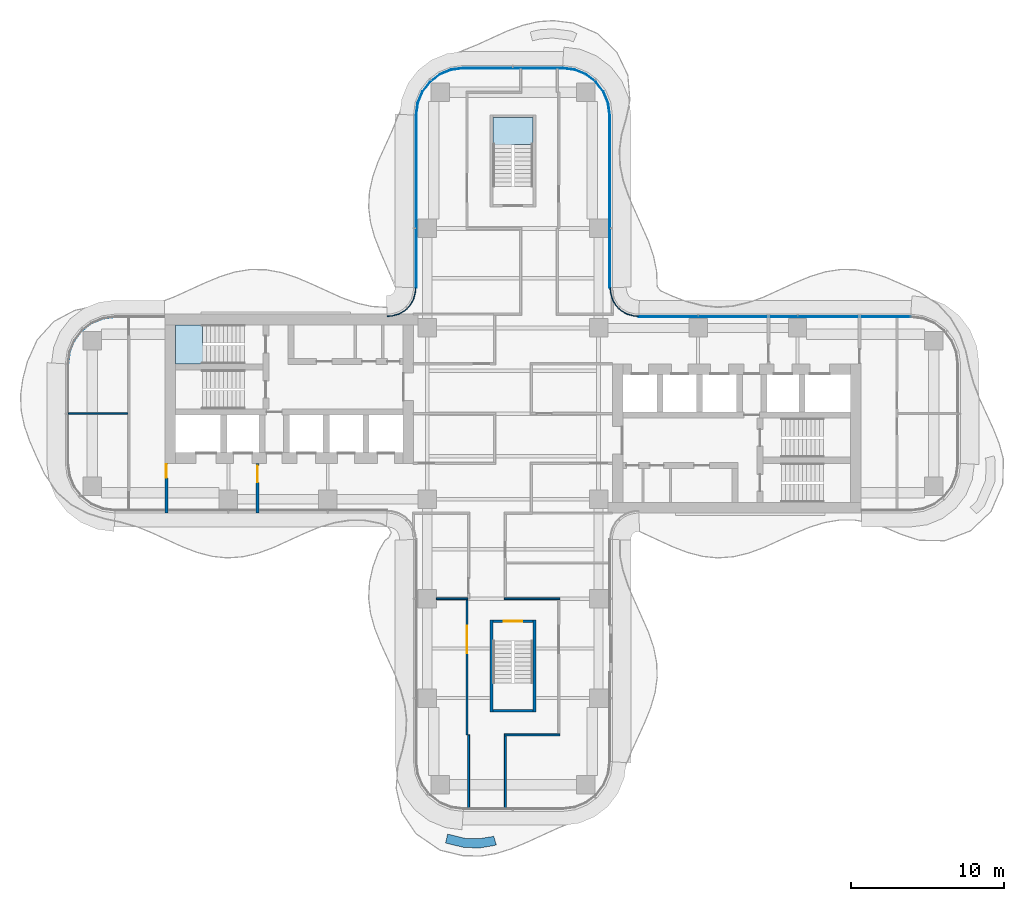
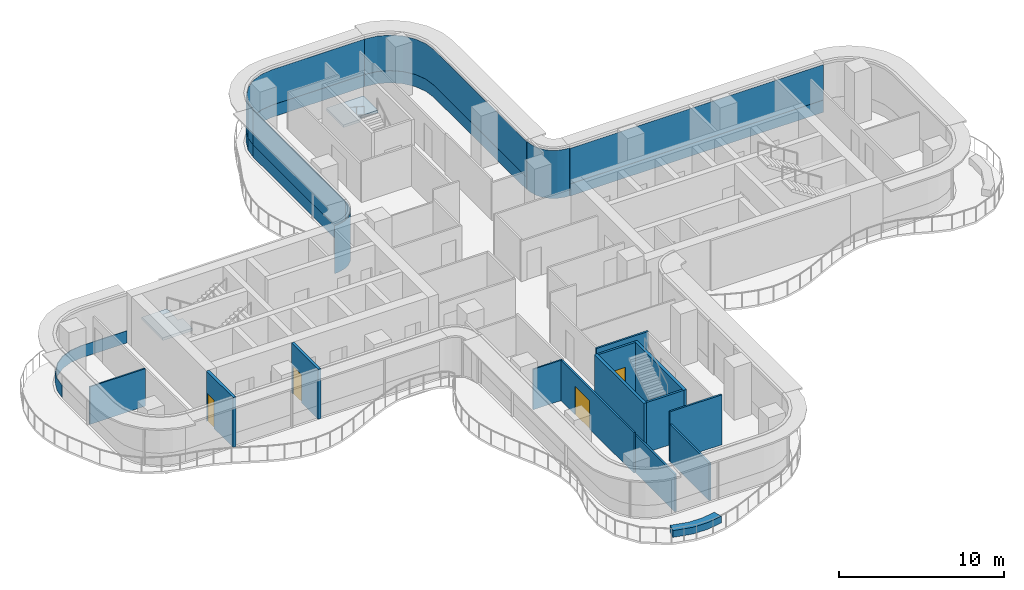
# One storey, part 12 of 18: 14 walls, 11 plates, 4 doors, 2 slabs, 4 openings, 9 elements without a shape of their own.
"""IFC4 building model written with IfcOpenShell, lengths in metres."""

import ifcopenshell
import ifcopenshell.guid

model = None  # the IFC model being written
_history = None  # IfcOwnerHistory: only IFC2X3 demands one
_inside = {}  # id of a spatial element -> (the spatial element, [elements in it])
_under = {}  # id of a project, library or spatial element -> (it, [spatial elements below it])
_declared = {}  # id of a project -> (the project, [libraries it declares])
_typed = {}  # id of a type object -> (the type object, [elements of that type])
_made_of = {}  # id of a material, layer set ... -> (it, [elements and type objects made of it])


def new_model(schema):
    """Start an empty IFC model of exactly this schema.

    Asked for "IFC4X3", IfcOpenShell would pick the latest addendum, in which some entities
    have other attributes; the version numbers below select the first issue.
    IFC2X3 requires an IfcOwnerHistory on every rooted entity: one is made here for all.
    """
    global model, _history
    if schema == "IFC4X3":
        model = ifcopenshell.file(schema_version=(4, 3, 0, 0))
    else:
        model = ifcopenshell.file(schema=schema)
    _inside.clear()
    _under.clear()
    _declared.clear()
    _typed.clear()
    _made_of.clear()
    _history = None
    if model.schema == "IFC2X3":
        org = make("IfcOrganization", Name="unknown")
        user = make(
            "IfcPersonAndOrganization",
            ThePerson=make("IfcPerson", FamilyName="unknown"),
            TheOrganization=org,
        )
        app = make(
            "IfcApplication",
            ApplicationDeveloper=org,
            Version="unknown",
            ApplicationFullName="unknown",
            ApplicationIdentifier="unknown",
        )
        _history = make(
            "IfcOwnerHistory",
            OwningUser=user,
            OwningApplication=app,
            ChangeAction="ADDED",
            CreationDate=0,
        )
    return model


def make(cls, **values):
    """One entity of the class cls with the attributes given. An attribute that is None is left unset."""
    return model.create_entity(
        cls, **{name: value for name, value in values.items() if value is not None}
    )


def rooted(cls, **values):
    """An entity with a GlobalId (a new one), such as an element, a storey or a relation."""
    return make(cls, GlobalId=ifcopenshell.guid.new(), OwnerHistory=_history, **values)


def si_unit(unit_type, name, prefix=None):
    """IfcSIUnit, for example si_unit("LENGTHUNIT", "METRE", prefix="MILLI")."""
    return make("IfcSIUnit", UnitType=unit_type, Prefix=prefix, Name=name)


def assignment(units):
    """IfcUnitAssignment: the units of a project."""
    return None if units is None else make("IfcUnitAssignment", Units=units)


def point(xyz):
    """IfcCartesianPoint."""
    return None if xyz is None else make("IfcCartesianPoint", Coordinates=xyz)


def direction(xyz):
    """IfcDirection."""
    return None if xyz is None else make("IfcDirection", DirectionRatios=xyz)


def frame(location, z_axis=None, x_axis=None):
    """IfcAxis2Placement3D, a coordinate frame: its origin and axes. An axis left out is left unset."""
    return make(
        "IfcAxis2Placement3D",
        Location=point(location),
        Axis=direction(z_axis),
        RefDirection=direction(x_axis),
    )


def frame_2d(location, x_axis=None):
    """IfcAxis2Placement2D, a coordinate frame in the plane: its origin and x axis."""
    return make(
        "IfcAxis2Placement2D", Location=point(location), RefDirection=direction(x_axis)
    )


def origin():
    """The frame at (0, 0, 0) with its axes left unset."""
    return frame((0.0, 0.0, 0.0))


def place(relative_to, where):
    """IfcLocalPlacement: puts the frame where relative to a parent placement (None: the world)."""
    return make(
        "IfcLocalPlacement", PlacementRelTo=relative_to, RelativePlacement=where
    )


def context(
    kind, dimensions, precision=None, world=None, true_north=None, identifier=None
):
    """IfcGeometricRepresentationContext, for example the 3D "Model" context."""
    return make(
        "IfcGeometricRepresentationContext",
        ContextIdentifier=identifier,
        ContextType=kind,
        CoordinateSpaceDimension=dimensions,
        Precision=precision,
        WorldCoordinateSystem=world,
        TrueNorth=true_north,
    )


def subcontext(parent, identifier, kind, view, scale=None):
    """IfcGeometricRepresentationSubContext, for example "Body" below "Model"."""
    return make(
        "IfcGeometricRepresentationSubContext",
        ContextIdentifier=identifier,
        ContextType=kind,
        ParentContext=parent,
        TargetScale=scale,
        TargetView=view,
    )


def project(units=None, contexts=None):
    """IfcProject with its units and contexts."""
    return rooted(
        "IfcProject",
        Name="project",
        RepresentationContexts=contexts,
        UnitsInContext=assignment(units),
    )


def spatial(cls, under=None, at=None, **own):
    """A site, building, storey or space (cls), placed at a placement, below another one or the project."""
    s = rooted(cls, ObjectPlacement=at, **own)
    if under is not None:
        _under.setdefault(under.id(), (under, []))[1].append(s)
    return s


def polyline(points):
    """IfcPolyline through the points."""
    return make("IfcPolyline", Points=[point(p) for p in points])


def profile(cls, at=None, kind="AREA", **sizes):
    """A parametric profile (cls). Its sizes go by their IFC names, for example OverallWidth=200.0."""
    return make(cls, ProfileType=kind, Position=at, **sizes)


def rectangle(**sizes):
    """IfcRectangleProfileDef."""
    return profile("IfcRectangleProfileDef", **sizes)


def outline(outer, holes=None, kind="AREA"):
    """IfcArbitraryClosedProfileDef: a profile drawn as a closed curve; with holes, ...WithVoids."""
    if holes is None:
        return make("IfcArbitraryClosedProfileDef", ProfileType=kind, OuterCurve=outer)
    return make(
        "IfcArbitraryProfileDefWithVoids",
        ProfileType=kind,
        OuterCurve=outer,
        InnerCurves=holes,
    )


def extrude(swept, where, along, depth):
    """IfcExtrudedAreaSolid: the profile swept, set in the frame where, extruded along a direction by depth."""
    return make(
        "IfcExtrudedAreaSolid",
        SweptArea=swept,
        Position=where,
        ExtrudedDirection=direction(along),
        Depth=depth,
    )


def shape(context_of_items, identifier, shape_type, items):
    """IfcShapeRepresentation: the items that make up one representation, for example the "Body"."""
    return make(
        "IfcShapeRepresentation",
        ContextOfItems=context_of_items,
        RepresentationIdentifier=identifier,
        RepresentationType=shape_type,
        Items=items,
    )


def source(mapping_origin, context_of_items, identifier, shape_type, items):
    """IfcRepresentationMap: a shape defined once, which mapped items show again and again."""
    return make(
        "IfcRepresentationMap",
        MappingOrigin=mapping_origin,
        MappedRepresentation=shape(context_of_items, identifier, shape_type, items),
    )


def transform(
    local_origin,
    x_axis=None,
    y_axis=None,
    z_axis=None,
    scale=None,
    scale2=None,
    scale3=None,
    uniform=True,
):
    """IfcCartesianTransformationOperator3D, or its non-uniform kind. x_axis, y_axis, z_axis: its Axis1, 2, 3."""
    if uniform:
        return make(
            "IfcCartesianTransformationOperator3D",
            Axis1=direction(x_axis),
            Axis2=direction(y_axis),
            LocalOrigin=point(local_origin),
            Scale=scale,
            Axis3=direction(z_axis),
        )
    return make(
        "IfcCartesianTransformationOperator3DnonUniform",
        Axis1=direction(x_axis),
        Axis2=direction(y_axis),
        LocalOrigin=point(local_origin),
        Scale=scale,
        Axis3=direction(z_axis),
        Scale2=scale2,
        Scale3=scale3,
    )


def mapped(mapping_source, mapping_target):
    """IfcMappedItem: shows the shape of a source again, moved by a transform."""
    return make(
        "IfcMappedItem", MappingSource=mapping_source, MappingTarget=mapping_target
    )


def material(Name=None, Category=None):
    """IfcMaterial."""
    return make("IfcMaterial", Name=Name, Category=Category)


def layer(
    of_material, thickness, ventilated=None, Name=None, Category=None, Priority=None
):
    """IfcMaterialLayer: one layer of a wall or slab, of a material (None: an air gap)."""
    return make(
        "IfcMaterialLayer",
        Material=of_material,
        LayerThickness=thickness,
        IsVentilated=ventilated,
        Name=Name,
        Category=Category,
        Priority=Priority,
    )


def layer_set(layers, Name=None):
    """IfcMaterialLayerSet."""
    return make("IfcMaterialLayerSet", MaterialLayers=layers, LayerSetName=Name)


def made_of(thing, what):
    """Note that an element or type object is made of a material, layer set ...; save() writes the relation."""
    if what is not None:
        _made_of.setdefault(what.id(), (what, []))[1].append(thing)
    return thing


def type_object(cls, material=None, **own):
    """A type object (cls), such as IfcWallType, which elements share."""
    return made_of(rooted(cls, **own), material)


def element(
    cls,
    number,
    at=None,
    inside=None,
    cuts=None,
    type_object=None,
    material=None,
    context=None,
    identifier="Body",
    shape_type=None,
    held_by="IfcProductDefinitionShape",
    body=None,
    shapes=None,
    **own,
):
    """One element of the class cls, such as IfcWall. Its Tag is "e" and its number.

    at: its placement. inside: the storey or other place that contains it. cuts: it is an
    opening in that element (IfcRelVoidsElement). A single representation is given by context,
    identifier, shape_type and body (its items); several are given by shapes. held_by: the class
    of the entity that holds the representations. save() writes the other relations.
    """
    e = rooted(cls, Tag="e%d" % number, ObjectPlacement=at, **own)
    if body is not None:
        shapes = [shape(context, identifier, shape_type, body)]
    if shapes is not None:
        e.Representation = make(held_by, Representations=shapes)
    if inside is not None:
        _inside.setdefault(inside.id(), (inside, []))[1].append(e)
    if cuts is not None:
        rooted(
            "IfcRelVoidsElement", RelatingBuildingElement=cuts, RelatedOpeningElement=e
        )
    if type_object is not None:
        _typed.setdefault(type_object.id(), (type_object, []))[1].append(e)
    return made_of(e, material)


def fill(opening, filler):
    """IfcRelFillsElement: the door or window that sits in an opening."""
    return rooted(
        "IfcRelFillsElement",
        RelatingOpeningElement=opening,
        RelatedBuildingElement=filler,
    )


def aggregate(whole, parts):
    """IfcRelAggregates: a whole, such as a stair, and the parts it consists of."""
    return rooted("IfcRelAggregates", RelatingObject=whole, RelatedObjects=parts)


def save(model, path):
    """Write the relations noted so far, then the file.

    IfcRelAggregates (storeys below a building ...), IfcRelContainedInSpatialStructure (elements
    in a storey), IfcRelDefinesByType, IfcRelAssociatesMaterial and IfcRelDeclares: one each for
    every whole, place, type object, material and project.
    """
    for whole, parts in _under.values():
        aggregate(whole, parts)
    for where, things in _inside.values():
        rooted(
            "IfcRelContainedInSpatialStructure",
            RelatedElements=things,
            RelatingStructure=where,
        )
    for kind, things in _typed.values():
        rooted("IfcRelDefinesByType", RelatedObjects=things, RelatingType=kind)
    for what, things in _made_of.values():
        rooted("IfcRelAssociatesMaterial", RelatedObjects=things, RelatingMaterial=what)
    for by, libraries in _declared.values():
        rooted("IfcRelDeclares", RelatingContext=by, RelatedDefinitions=libraries)
    model.write(path)


model = new_model("IFC4")

# Units and contexts
model_context = context("Model", 3, precision=1e-05, world=origin(), true_north=direction((0.0, 1.0)))
body_context = subcontext(model_context, "Body", "Model", "MODEL_VIEW")
ifc_project = project(units=[si_unit("LENGTHUNIT", "METRE"), si_unit("AREAUNIT", "SQUARE_METRE"), si_unit("VOLUMEUNIT", "CUBIC_METRE"), si_unit("PLANEANGLEUNIT", "RADIAN"), si_unit("MASSUNIT", "GRAM", prefix="KILO")], contexts=[model_context])

# Site, building, storey
site_placement = place(None, origin())
site = spatial("IfcSite", under=ifc_project, at=site_placement, CompositionType="ELEMENT")
building_placement = place(site_placement, origin())
building = spatial("IfcBuilding", under=site, at=building_placement, Name="Trellis Farm Tower", CompositionType="ELEMENT")
storey_placement = place(building_placement, frame((0.0, 0.0, 193.199951171875)))
storey = spatial("IfcBuildingStorey", under=building, at=storey_placement, Name="L42", CompositionType="ELEMENT", Elevation=193.199951171875)

# Stair, slab
ifc_material_1 = material(Name="Concrete C50/60", Category="concrete")
stair_type = type_object("IfcStairType", Name="CORE EXIT STAIR 22 RISERS 177 MM", PredefinedType="HALF_TURN_STAIR", material=ifc_material_1)
placement_1 = place(storey_placement, origin())
stair_1 = element("IfcStair", 1, at=placement_1, inside=storey, type_object=stair_type, Name="Exit stair N", PredefinedType="HALF_TURN_STAIR")
ifc_layer_1 = layer(ifc_material_1, 0.18994140625)
ifc_layer_set_1 = layer_set([ifc_layer_1], Name="CORE STAIR LANDING 190 CONCRETE C50/60")
slab_type = type_object("IfcSlabType", Name="CORE STAIR LANDING 190 CONCRETE C50/60", PredefinedType="LANDING", material=ifc_layer_set_1)
shared_shape_1 = source(origin(), body_context, "Body", "SweptSolid", [
    extrude(outline(polyline([(-0.10009765625, 17.27197265625), (-1.300048828125, 17.27197265625), (-1.300048828125, 17.60009765625), (-1.300048828125, 19.35009765625), (1.300048828125, 19.35009765625), (1.300048828125, 17.60009765625), (1.300048828125, 17.590087890625), (0.10009765625, 17.590087890625), (0.10009765625, 17.60009765625), (-0.10009765625, 17.60009765625), (-0.10009765625, 17.27197265625)])), origin(), (0.0, 0.0, 1.0), 0.18994140625),
])
placement_2 = place(storey_placement, frame((0.0, 0.0, 1.760009765625)))
slab_1 = element("IfcSlab", 2, at=placement_2, type_object=slab_type, Name="STN landing 1", PredefinedType="LANDING", context=body_context, shape_type="MappedRepresentation", body=[
    mapped(shared_shape_1, transform((0.0, 0.0, 0.0))),
])
aggregate(stair_1, [slab_1])

stair_2 = element("IfcStair", 3, at=placement_1, inside=storey, type_object=stair_type, Name="Exit stair W1", PredefinedType="HALF_TURN_STAIR")
shared_shape_2 = source(origin(), body_context, "Body", "SweptSolid", [
    extrude(outline(polyline([(-19.971923828125, 4.449951171875), (-19.971923828125, 3.25), (-20.300048828125, 3.25), (-22.050048828125, 3.25), (-22.050048828125, 5.800048828125), (-20.300048828125, 5.800048828125), (-20.2900390625, 5.800048828125), (-20.2900390625, 4.60009765625), (-20.300048828125, 4.60009765625), (-20.300048828125, 4.449951171875), (-19.971923828125, 4.449951171875)])), origin(), (0.0, 0.0, 1.0), 0.18994140625),
])
slab_2 = element("IfcSlab", 4, at=placement_2, type_object=slab_type, Name="STW1 landing 1", PredefinedType="LANDING", context=body_context, shape_type="MappedRepresentation", body=[
    mapped(shared_shape_2, transform((0.0, 0.0, 0.0))),
])
aggregate(stair_2, [slab_2])

# Curtain wall, plate
ifc_material_2 = material(Name="Aluminium and glass curtain wall", Category="aluminium")
ifc_layer_2 = layer(ifc_material_2, 0.166015625)
ifc_layer_set_2 = layer_set([ifc_layer_2], Name="WINTER GARDEN CURTAIN WALL CW3")
curtain_wall_type_1 = type_object("IfcCurtainWallType", Name="WINTER GARDEN CURTAIN WALL CW3", PredefinedType="NOTDEFINED", material=ifc_layer_set_2)
curtain_wall_1 = element("IfcCurtainWall", 5, at=placement_1, inside=storey, type_object=curtain_wall_type_1, Name="CW3 003", PredefinedType="NOTDEFINED")
ifc_material_3 = material(Name="Clear insulated glass", Category="glass")
ifc_layer_3 = layer(ifc_material_3, 0.0458984375)
ifc_layer_set_3 = layer_set([ifc_layer_3], Name="CW3 GLASS PANEL 46")
plate_type_1 = type_object("IfcPlateType", Name="CW3 GLASS PANEL 46", PredefinedType="CURTAIN_PANEL", material=ifc_layer_set_3)
shared_shape_3 = source(origin(), body_context, "Body", "SweptSolid", [
    extrude(outline(polyline([(8.2275390625, 6.3798828125), (8.0078125, 6.394287109375), (7.89208984375, 6.40966796875), (7.462158203125, 6.52490234375), (7.070556640625, 6.7509765625), (6.7509765625, 7.070556640625), (6.52490234375, 7.462158203125), (6.40966796875, 7.89208984375), (6.394287109375, 8.0078125), (6.3798828125, 8.2275390625), (6.333984375, 8.22607421875), (6.3486328125, 8.003173828125), (6.364501953125, 7.883056640625), (6.48193359375, 7.4443359375), (6.714111328125, 7.04248046875), (7.04248046875, 6.714111328125), (7.4443359375, 6.48193359375), (7.883056640625, 6.364501953125), (8.003173828125, 6.3486328125), (8.22607421875, 6.333984375), (8.2275390625, 6.3798828125)])), origin(), (0.0, 0.0, 1.0), 3.550048828125),
])
plate_1 = element("IfcPlate", 6, at=placement_1, type_object=plate_type_1, Name="PL3 003", PredefinedType="CURTAIN_PANEL", context=body_context, shape_type="MappedRepresentation", body=[
    mapped(shared_shape_3, transform((0.0, 0.0, 0.0))),
])
aggregate(curtain_wall_1, [plate_1])

curtain_wall_2 = element("IfcCurtainWall", 7, at=placement_1, inside=storey, type_object=curtain_wall_type_1, Name="CW3 004", PredefinedType="NOTDEFINED")
shared_shape_4 = source(origin(), body_context, "Body", "SweptSolid", [
    extrude(outline(polyline([(-6.3798828125, 8.2275390625), (-6.394287109375, 8.0078125), (-6.40966796875, 7.89208984375), (-6.52490234375, 7.462158203125), (-6.7509765625, 7.070556640625), (-7.070556640625, 6.7509765625), (-7.462158203125, 6.52490234375), (-7.89208984375, 6.40966796875), (-8.0078125, 6.394287109375), (-8.2275390625, 6.3798828125), (-8.22607421875, 6.333984375), (-8.003173828125, 6.3486328125), (-7.883056640625, 6.364501953125), (-7.4443359375, 6.48193359375), (-7.04248046875, 6.714111328125), (-6.714111328125, 7.04248046875), (-6.48193359375, 7.4443359375), (-6.364501953125, 7.883056640625), (-6.3486328125, 8.003173828125), (-6.333984375, 8.22607421875), (-6.3798828125, 8.2275390625)])), origin(), (0.0, 0.0, 1.0), 3.550048828125),
])
plate_2 = element("IfcPlate", 8, at=placement_1, type_object=plate_type_1, Name="PL3 004", PredefinedType="CURTAIN_PANEL", context=body_context, shape_type="MappedRepresentation", body=[
    mapped(shared_shape_4, transform((0.0, 0.0, 0.0))),
])
aggregate(curtain_wall_2, [plate_2])

# Curtain wall, plates
ifc_layer_4 = layer(ifc_material_2, 0.18994140625)
ifc_layer_set_4 = layer_set([ifc_layer_4], Name="RIBBON CURTAIN WALL CW1")
curtain_wall_type_2 = type_object("IfcCurtainWallType", Name="RIBBON CURTAIN WALL CW1", PredefinedType="NOTDEFINED", material=ifc_layer_set_4)
curtain_wall_3 = element("IfcCurtainWall", 9, at=placement_1, inside=storey, type_object=curtain_wall_type_2, Name="CW1 008", PredefinedType="NOTDEFINED")
ifc_layer_5 = layer(ifc_material_3, 0.0400390625)
ifc_layer_set_5 = layer_set([ifc_layer_5], Name="CW1 GLASS PANEL 40")
plate_type_2 = type_object("IfcPlateType", Name="CW1 GLASS PANEL 40", PredefinedType="CURTAIN_PANEL", material=ifc_layer_set_5)
shared_shape_5 = source(origin(), body_context, "Body", "SweptSolid", [
    extrude(outline(polyline([(25.990234375, 6.35009765625), (8.2265625, 6.35009765625), (8.22509765625, 6.31005859375), (25.987548828125, 6.31005859375), (25.990234375, 6.35009765625)])), origin(), (0.0, 0.0, 1.0), 2.619873046875),
])
placement_3 = place(storey_placement, frame((0.0, 0.0, 0.900146484375)))
plate_3 = element("IfcPlate", 10, at=placement_3, type_object=plate_type_2, Name="PL1 008", PredefinedType="CURTAIN_PANEL", context=body_context, shape_type="MappedRepresentation", body=[
    mapped(shared_shape_5, transform((0.0, 0.0, 0.0))),
])
ifc_material_4 = material(Name="Sandstone faced insulated panel", Category="masonry")
ifc_layer_6 = layer(ifc_material_4, 0.050048828125)
ifc_layer_set_6 = layer_set([ifc_layer_6], Name="CW1 STONE SPANDREL PANEL 50")
plate_type_3 = type_object("IfcPlateType", Name="CW1 STONE SPANDREL PANEL 50", PredefinedType="CURTAIN_PANEL", material=ifc_layer_set_6)
shared_shape_6 = source(origin(), body_context, "Body", "SweptSolid", [
    extrude(outline(polyline([(25.990234375, 6.35009765625), (8.2265625, 6.35009765625), (8.224853515625, 6.300048828125), (25.98681640625, 6.300048828125), (25.990234375, 6.35009765625)])), origin(), (0.0, 0.0, 1.0), 0.900146484375),
])
plate_4 = element("IfcPlate", 11, at=placement_1, type_object=plate_type_3, Name="PS1 008", PredefinedType="CURTAIN_PANEL", context=body_context, shape_type="MappedRepresentation", body=[
    mapped(shared_shape_6, transform((0.0, 0.0, 0.0))),
])
aggregate(curtain_wall_3, [plate_3, plate_4])

# Curtain wall, plate
curtain_wall_4 = element("IfcCurtainWall", 12, at=placement_1, inside=storey, type_object=curtain_wall_type_2, Name="CW1 012", PredefinedType="NOTDEFINED")
shared_shape_7 = source(origin(), body_context, "Body", "SweptSolid", [
    extrude(outline(polyline([(-22.780029296875, 6.35009765625), (-25.990234375, 6.35009765625), (-26.802001953125, 6.2431640625), (-27.54931640625, 5.93359375), (-28.191162109375, 5.441162109375), (-28.68359375, 4.79931640625), (-28.9931640625, 4.052001953125), (-29.10009765625, 3.240234375), (-29.050048828125, 3.23681640625), (-28.9443359375, 4.0390625), (-28.639892578125, 4.774169921875), (-28.155517578125, 5.405517578125), (-27.524169921875, 5.889892578125), (-26.7890625, 6.1943359375), (-25.98681640625, 6.300048828125), (-22.780029296875, 6.300048828125), (-22.780029296875, 6.35009765625)])), origin(), (0.0, 0.0, 1.0), 0.900146484375),
])
plate_5 = element("IfcPlate", 13, at=placement_1, type_object=plate_type_3, Name="PS1 012", PredefinedType="CURTAIN_PANEL", context=body_context, shape_type="MappedRepresentation", body=[
    mapped(shared_shape_7, transform((0.0, 0.0, 0.0))),
])
aggregate(curtain_wall_4, [plate_5])

# Curtain wall, plates
curtain_wall_5 = element("IfcCurtainWall", 14, at=placement_1, inside=storey, type_object=curtain_wall_type_2, Name="CW1 009", PredefinedType="NOTDEFINED")
shared_shape_8 = source(origin(), body_context, "Body", "SweptSolid", [
    extrude(outline(polyline([(6.35009765625, 8.2265625), (6.35009765625, 19.490234375), (6.2431640625, 20.302001953125), (5.93359375, 21.04931640625), (5.441162109375, 21.691162109375), (4.79931640625, 22.18359375), (4.052001953125, 22.4931640625), (3.240234375, 22.60009765625), (3.237548828125, 22.56005859375), (4.04150390625, 22.4541015625), (4.779296875, 22.148681640625), (5.41259765625, 21.66259765625), (5.898681640625, 21.029296875), (6.2041015625, 20.29150390625), (6.31005859375, 19.487548828125), (6.31005859375, 8.22509765625), (6.35009765625, 8.2265625)])), origin(), (0.0, 0.0, 1.0), 2.619873046875),
])
plate_6 = element("IfcPlate", 15, at=placement_3, type_object=plate_type_2, Name="PL1 009", PredefinedType="CURTAIN_PANEL", context=body_context, shape_type="MappedRepresentation", body=[
    mapped(shared_shape_8, transform((0.0, 0.0, 0.0))),
])
shared_shape_9 = source(origin(), body_context, "Body", "SweptSolid", [
    extrude(outline(polyline([(6.35009765625, 8.2265625), (6.35009765625, 19.490234375), (6.2431640625, 20.302001953125), (5.93359375, 21.04931640625), (5.441162109375, 21.691162109375), (4.79931640625, 22.18359375), (4.052001953125, 22.4931640625), (3.240234375, 22.60009765625), (3.23681640625, 22.550048828125), (4.0390625, 22.4443359375), (4.774169921875, 22.139892578125), (5.405517578125, 21.655517578125), (5.889892578125, 21.024169921875), (6.1943359375, 20.2890625), (6.300048828125, 19.48681640625), (6.300048828125, 8.224853515625), (6.35009765625, 8.2265625)])), origin(), (0.0, 0.0, 1.0), 0.900146484375),
])
plate_7 = element("IfcPlate", 16, at=placement_1, type_object=plate_type_3, Name="PS1 009", PredefinedType="CURTAIN_PANEL", context=body_context, shape_type="MappedRepresentation", body=[
    mapped(shared_shape_9, transform((0.0, 0.0, 0.0))),
])
aggregate(curtain_wall_5, [plate_6, plate_7])

curtain_wall_6 = element("IfcCurtainWall", 17, at=placement_1, inside=storey, type_object=curtain_wall_type_2, Name="CW1 011", PredefinedType="NOTDEFINED")
shared_shape_10 = source(origin(), body_context, "Body", "SweptSolid", [
    extrude(outline(polyline([(-6.35009765625, 19.490234375), (-6.35009765625, 8.2265625), (-6.31005859375, 8.22509765625), (-6.31005859375, 19.487548828125), (-6.35009765625, 19.490234375)])), origin(), (0.0, 0.0, 1.0), 2.619873046875),
])
plate_8 = element("IfcPlate", 18, at=placement_3, type_object=plate_type_2, Name="PL1 011", PredefinedType="CURTAIN_PANEL", context=body_context, shape_type="MappedRepresentation", body=[
    mapped(shared_shape_10, transform((0.0, 0.0, 0.0))),
])
shared_shape_11 = source(origin(), body_context, "Body", "SweptSolid", [
    extrude(outline(polyline([(-6.35009765625, 19.490234375), (-6.35009765625, 8.2265625), (-6.300048828125, 8.224853515625), (-6.300048828125, 19.48681640625), (-6.35009765625, 19.490234375)])), origin(), (0.0, 0.0, 1.0), 0.900146484375),
])
plate_9 = element("IfcPlate", 19, at=placement_1, type_object=plate_type_3, Name="PS1 011", PredefinedType="CURTAIN_PANEL", context=body_context, shape_type="MappedRepresentation", body=[
    mapped(shared_shape_11, transform((0.0, 0.0, 0.0))),
])
aggregate(curtain_wall_6, [plate_8, plate_9])

curtain_wall_7 = element("IfcCurtainWall", 20, at=placement_1, inside=storey, type_object=curtain_wall_type_2, Name="CW1 010", PredefinedType="NOTDEFINED")
shared_shape_12 = source(origin(), body_context, "Body", "SweptSolid", [
    extrude(outline(polyline([(3.240234375, 22.60009765625), (-3.240234375, 22.60009765625), (-4.052001953125, 22.4931640625), (-4.79931640625, 22.18359375), (-5.441162109375, 21.691162109375), (-5.93359375, 21.04931640625), (-6.2431640625, 20.302001953125), (-6.35009765625, 19.490234375), (-6.31005859375, 19.487548828125), (-6.2041015625, 20.29150390625), (-5.898681640625, 21.029296875), (-5.41259765625, 21.66259765625), (-4.779296875, 22.148681640625), (-4.04150390625, 22.4541015625), (-3.237548828125, 22.56005859375), (3.237548828125, 22.56005859375), (3.240234375, 22.60009765625)])), origin(), (0.0, 0.0, 1.0), 2.619873046875),
])
plate_10 = element("IfcPlate", 21, at=placement_3, type_object=plate_type_2, Name="PL1 010", PredefinedType="CURTAIN_PANEL", context=body_context, shape_type="MappedRepresentation", body=[
    mapped(shared_shape_12, transform((0.0, 0.0, 0.0))),
])
shared_shape_13 = source(origin(), body_context, "Body", "SweptSolid", [
    extrude(outline(polyline([(3.240234375, 22.60009765625), (-3.240234375, 22.60009765625), (-4.052001953125, 22.4931640625), (-4.79931640625, 22.18359375), (-5.441162109375, 21.691162109375), (-5.93359375, 21.04931640625), (-6.2431640625, 20.302001953125), (-6.35009765625, 19.490234375), (-6.300048828125, 19.48681640625), (-6.1943359375, 20.2890625), (-5.889892578125, 21.024169921875), (-5.405517578125, 21.655517578125), (-4.774169921875, 22.139892578125), (-4.0390625, 22.4443359375), (-3.23681640625, 22.550048828125), (3.23681640625, 22.550048828125), (3.240234375, 22.60009765625)])), origin(), (0.0, 0.0, 1.0), 0.900146484375),
])
plate_11 = element("IfcPlate", 22, at=placement_1, type_object=plate_type_3, Name="PS1 010", PredefinedType="CURTAIN_PANEL", context=body_context, shape_type="MappedRepresentation", body=[
    mapped(shared_shape_13, transform((0.0, 0.0, 0.0))),
])
aggregate(curtain_wall_7, [plate_10, plate_11])

# Wall
ifc_material_5 = material(Name="Sandstone faced masonry planter", Category="masonry")
ifc_layer_7 = layer(ifc_material_5, 0.60009765625)
ifc_layer_set_7 = layer_set([ifc_layer_7], Name="PLANTER BED 600")
wall_type_1 = type_object("IfcWallType", Name="PLANTER BED 600", PredefinedType="USERDEFINED", material=ifc_layer_set_7)
element("IfcWall", 23, at=placement_1, inside=storey, type_object=wall_type_1, Name="PLANTER bed", ObjectType="PLANTER", PredefinedType="USERDEFINED", context=body_context, shape_type="SweptSolid", body=[
    extrude(outline(polyline([(-2.138671875, -28.380126953125), (-3.160400390625, -28.36669921875), (-4.4091796875, -28.064697265625), (-4.26806640625, -27.4814453125), (-3.085205078125, -27.767578125), (-2.18310546875, -27.779541015625), (-1.368896484375, -27.64697265625), (-1.26171875, -27.613525390625), (-1.083251953125, -28.186279296875), (-1.230712890625, -28.232421875), (-2.138671875, -28.380126953125)])), origin(), (0.0, 0.0, 1.0), 0.5),
])

# Wall, opening, door
ifc_material_6 = material(Name="Masonry blockwork", Category="masonry")
ifc_layer_8 = layer(ifc_material_6, 0.199951171875)
ifc_layer_set_8 = layer_set([ifc_layer_8], Name="FIRE LOBBY PARTITION 200 BLOCKWORK")
wall_type_2 = type_object("IfcWallType", Name="FIRE LOBBY PARTITION 200 BLOCKWORK", PredefinedType="PARTITIONING", material=ifc_layer_set_8)
shared_shape_14 = source(origin(), body_context, "Body", "SweptSolid", [
    extrude(rectangle(XDim=3.25, YDim=0.199951171875, at=frame_2d((1.625, 0.0))), origin(), (0.0, 0.0, 1.0), 3.699951171875),
])
wall_2_placement = place(storey_placement, frame((-16.699951171875, -3.25, 0.0), z_axis=(0.0, 0.0, 1.0), x_axis=(0.0, -1.0, 0.0)))
wall_2 = element("IfcWall", 24, at=wall_2_placement, inside=storey, type_object=wall_type_2, Name="Fire-fighting lobby partition", PredefinedType="PARTITIONING", context=body_context, shape_type="MappedRepresentation", body=[
    mapped(shared_shape_14, transform((0.0, 0.0, 0.0))),
])
shared_shape_15 = source(origin(), body_context, "Body", "SweptSolid", [
    extrude(rectangle(XDim=1.10009765625, YDim=2.10009765625, at=frame_2d((0.550048828125, 1.050048828125))), frame((0.0, 0.110107421875, 0.0), z_axis=(0.0, -1.0, 0.0), x_axis=(1.0, 0.0, 0.0)), (0.0, 0.0, 1.0), 0.22021484375),
])
opening_1_placement = place(wall_2_placement, frame((0.14990234375, 0.0, 0.0)))
opening_1 = element("IfcOpeningElement", 25, at=opening_1_placement, cuts=wall_2, Name="Opening DC93", PredefinedType="OPENING", context=body_context, shape_type="MappedRepresentation", body=[
    mapped(shared_shape_15, transform((0.0, 0.0, 0.0))),
])
ifc_material_7 = material(Name="Steel", Category="steel")
door_type_1 = type_object("IfcDoorType", Name="CORE FIRE DOOR 1100 X 2100", OperationType="NOTDEFINED", PredefinedType="DOOR", material=ifc_material_7)
shared_shape_16 = source(origin(), body_context, "Body", "SweptSolid", [
    extrude(rectangle(XDim=1.10009765625, YDim=2.10009765625, at=frame_2d((0.550048828125, 1.050048828125))), frame((0.0, 0.02490234375, 0.0), z_axis=(0.0, -1.0, 0.0), x_axis=(1.0, 0.0, 0.0)), (0.0, 0.0, 1.0), 0.050048828125),
])
door_1_placement = place(opening_1_placement, origin())
door_1 = element("IfcDoor", 26, at=door_1_placement, inside=storey, type_object=door_type_1, Name="Core door", OperationType="SINGLE_SWING_RIGHT", OverallHeight=2.10009765625, OverallWidth=1.10009765625, PredefinedType="DOOR", context=body_context, shape_type="MappedRepresentation", body=[
    mapped(shared_shape_16, transform((0.0, 0.0, 0.0))),
])
fill(opening_1, door_1)

wall_3_placement = place(storey_placement, frame((-22.64990234375, -3.25, 0.0), z_axis=(0.0, 0.0, 1.0), x_axis=(0.0, -1.0, 0.0)))
wall_3 = element("IfcWall", 27, at=wall_3_placement, inside=storey, type_object=wall_type_2, Name="Fire-fighting lobby partition", PredefinedType="PARTITIONING", context=body_context, shape_type="MappedRepresentation", body=[
    mapped(shared_shape_14, transform((0.0, 0.0, 0.0))),
])
shared_shape_17 = source(origin(), body_context, "Body", "SweptSolid", [
    extrude(rectangle(XDim=0.89990234375, YDim=2.10009765625, at=frame_2d((0.449951171875, 1.050048828125))), frame((0.0, 0.110107421875, 0.0), z_axis=(0.0, -1.0, 0.0), x_axis=(1.0, 0.0, 0.0)), (0.0, 0.0, 1.0), 0.22021484375),
])
opening_2_placement = place(wall_3_placement, frame((0.050048828125, 0.0, 0.0)))
opening_2 = element("IfcOpeningElement", 28, at=opening_2_placement, cuts=wall_3, Name="Opening DC94", PredefinedType="OPENING", context=body_context, shape_type="MappedRepresentation", body=[
    mapped(shared_shape_17, transform((0.0, 0.0, 0.0))),
])
door_type_2 = type_object("IfcDoorType", Name="CORE FIRE DOOR 900 X 2100", OperationType="NOTDEFINED", PredefinedType="DOOR", material=ifc_material_7)
shared_shape_18 = source(origin(), body_context, "Body", "SweptSolid", [
    extrude(rectangle(XDim=0.89990234375, YDim=2.10009765625, at=frame_2d((0.449951171875, 1.050048828125))), frame((0.0, 0.02490234375, 0.0), z_axis=(0.0, -1.0, 0.0), x_axis=(1.0, 0.0, 0.0)), (0.0, 0.0, 1.0), 0.050048828125),
])
door_2_placement = place(opening_2_placement, origin())
door_2 = element("IfcDoor", 29, at=door_2_placement, inside=storey, type_object=door_type_2, Name="Core door", OperationType="SINGLE_SWING_RIGHT", OverallHeight=2.10009765625, OverallWidth=0.89990234375, PredefinedType="DOOR", context=body_context, shape_type="MappedRepresentation", body=[
    mapped(shared_shape_18, transform((0.0, 0.0, 0.0))),
])
fill(opening_2, door_2)

# Walls
ifc_material_8 = material(Name="Concrete C70/85", Category="concrete")
ifc_layer_9 = layer(ifc_material_8, 0.199951171875)
ifc_layer_set_9 = layer_set([ifc_layer_9], Name="CORE STAIR ENCLOSURE WALL 200 CONCRETE C70/85")
wall_type_3 = type_object("IfcWallType", Name="CORE STAIR ENCLOSURE WALL 200 CONCRETE C70/85", PredefinedType="SHEAR", material=ifc_layer_set_9)
shared_shape_19 = source(origin(), body_context, "Body", "SweptSolid", [
    extrude(rectangle(XDim=6.0, YDim=0.199951171875, at=frame_2d((3.0, 0.0))), origin(), (0.0, 0.0, 1.0), 3.699951171875),
])
for number, where, z_axis, x_axis, name in (
    (30, (1.39990234375, -13.5, 0.0), (0.0, 0.0, 1.0), (0.0, -1.0, 0.0), "Stair enclosure wall"),
    (31, (-1.39990234375, -13.5, 0.0), (0.0, 0.0, 1.0), (0.0, -1.0, 0.0), "Stair enclosure wall"),
):
    element("IfcWall", number, at=place(storey_placement, frame(where, z_axis=z_axis, x_axis=x_axis)), inside=storey, type_object=wall_type_3, Name=name, PredefinedType="SHEAR", context=body_context, shape_type="MappedRepresentation", body=[
        mapped(shared_shape_19, transform((0.0, 0.0, 0.0))),
    ])

# Wall, opening, door
ifc_layer_10 = layer(ifc_material_8, 0.14990234375)
ifc_layer_set_10 = layer_set([ifc_layer_10], Name="CORE STAIR ENCLOSURE WALL 150 CONCRETE C70/85")
wall_type_4 = type_object("IfcWallType", Name="CORE STAIR ENCLOSURE WALL 150 CONCRETE C70/85", PredefinedType="SHEAR", material=ifc_layer_set_10)
shared_shape_20 = source(origin(), body_context, "Body", "SweptSolid", [
    extrude(rectangle(XDim=2.60009765625, YDim=0.14990234375, at=frame_2d((1.300048828125, 0.0))), origin(), (0.0, 0.0, 1.0), 3.699951171875),
])
wall_4_placement = place(storey_placement, frame((1.300048828125, -13.574951171875, 0.0), z_axis=(0.0, 0.0, 1.0), x_axis=(-1.0, 0.0, 0.0)))
wall_4 = element("IfcWall", 32, at=wall_4_placement, inside=storey, type_object=wall_type_4, Name="Stair enclosure wall", PredefinedType="SHEAR", context=body_context, shape_type="MappedRepresentation", body=[
    mapped(shared_shape_20, transform((0.0, 0.0, 0.0))),
])
shared_shape_21 = source(origin(), body_context, "Body", "SweptSolid", [
    extrude(rectangle(XDim=1.199951171875, YDim=2.10009765625, at=frame_2d((0.60009765625, 1.050048828125))), frame((0.0, 0.0849609375, 0.0), z_axis=(0.0, -1.0, 0.0), x_axis=(1.0, 0.0, 0.0)), (0.0, 0.0, 1.0), 0.169921875),
])
opening_3_placement = place(wall_4_placement, frame((0.699951171875, 0.0, 0.0)))
opening_3 = element("IfcOpeningElement", 33, at=opening_3_placement, cuts=wall_4, Name="Opening DC174", PredefinedType="OPENING", context=body_context, shape_type="MappedRepresentation", body=[
    mapped(shared_shape_21, transform((0.0, 0.0, 0.0))),
])
door_type_3 = type_object("IfcDoorType", Name="CORE FIRE DOOR 1200 X 2100", OperationType="NOTDEFINED", PredefinedType="DOOR", material=ifc_material_7)
shared_shape_22 = source(origin(), body_context, "Body", "SweptSolid", [
    extrude(rectangle(XDim=1.199951171875, YDim=2.10009765625, at=frame_2d((0.60009765625, 1.050048828125))), frame((0.0, 0.02490234375, 0.0), z_axis=(0.0, -1.0, 0.0), x_axis=(1.0, 0.0, 0.0)), (0.0, 0.0, 1.0), 0.050048828125),
])
door_3_placement = place(opening_3_placement, origin())
door_3 = element("IfcDoor", 34, at=door_3_placement, inside=storey, type_object=door_type_3, Name="Core door", OperationType="SINGLE_SWING_RIGHT", OverallHeight=2.10009765625, OverallWidth=1.199951171875, PredefinedType="DOOR", context=body_context, shape_type="MappedRepresentation", body=[
    mapped(shared_shape_22, transform((0.0, 0.0, 0.0))),
])
fill(opening_3, door_3)

# Walls
wall_5_placement = place(storey_placement, frame((1.300048828125, -19.425048828125, 0.0), z_axis=(0.0, 0.0, 1.0), x_axis=(-1.0, 0.0, 0.0)))
element("IfcWall", 35, at=wall_5_placement, inside=storey, type_object=wall_type_4, Name="Stair enclosure wall", PredefinedType="SHEAR", context=body_context, shape_type="MappedRepresentation", body=[
    mapped(shared_shape_20, transform((0.0, 0.0, 0.0))),
])
ifc_material_9 = material(Name="Plasterboard on steel studs", Category="steel")
ifc_layer_11 = layer(ifc_material_9, 0.10009765625)
ifc_layer_set_11 = layer_set([ifc_layer_11], Name="PARTITION 100 STUD EI 30")
wall_type_5 = type_object("IfcWallType", Name="PARTITION 100 STUD EI 30", PredefinedType="PARTITIONING", material=ifc_layer_set_11)
shared_shape_23 = source(origin(), body_context, "Body", "SweptSolid", [
    extrude(rectangle(XDim=2.0625, YDim=0.10009765625, at=frame_2d((1.03125, 0.0))), origin(), (0.0, 0.0, 1.0), 2.99658203125),
])
wall_6_placement = place(storey_placement, frame((-5.0, -12.10009765625, 0.0), z_axis=(0.0, 0.0, 1.0), x_axis=(1.0, 0.0, 0.0)))
element("IfcWall", 36, at=wall_6_placement, inside=storey, type_object=wall_type_5, Name="Partition PW2", PredefinedType="PARTITIONING", context=body_context, shape_type="MappedRepresentation", body=[
    mapped(shared_shape_23, transform((0.0, 0.0, 0.0))),
])
ifc_material_10 = material(Name="Plasterboard on steel studs, mineral wool", Category="steel")
ifc_layer_12 = layer(ifc_material_10, 0.125)
ifc_layer_set_12 = layer_set([ifc_layer_12], Name="PARTITION 125 STUD EI 60")
wall_type_6 = type_object("IfcWallType", Name="PARTITION 125 STUD EI 60", PredefinedType="PARTITIONING", material=ifc_layer_set_12)
shared_shape_24 = source(origin(), body_context, "Body", "SweptSolid", [
    extrude(rectangle(XDim=3.625, YDim=0.125, at=frame_2d((1.8125, 0.0))), origin(), (0.0, 0.0, 1.0), 2.99658203125),
])
wall_7_placement = place(storey_placement, frame((-0.5625, -12.10009765625, 0.0), z_axis=(0.0, 0.0, 1.0), x_axis=(1.0, 0.0, 0.0)))
element("IfcWall", 37, at=wall_7_placement, inside=storey, type_object=wall_type_6, Name="Partition PW1", PredefinedType="PARTITIONING", context=body_context, shape_type="MappedRepresentation", body=[
    mapped(shared_shape_24, transform((0.0, 0.0, 0.0))),
])

# Wall, opening, door
shared_shape_25 = source(origin(), body_context, "Body", "SweptSolid", [
    extrude(rectangle(XDim=8.85009765625, YDim=0.125, at=frame_2d((4.425048828125, 0.0))), origin(), (0.0, 0.0, 1.0), 2.99658203125),
])
wall_8_placement = place(storey_placement, frame((-3.0, -21.0, 0.0), z_axis=(0.0, 0.0, 1.0), x_axis=(0.0, 1.0, 0.0)))
wall_8 = element("IfcWall", 38, at=wall_8_placement, inside=storey, type_object=wall_type_6, Name="Partition PW1", PredefinedType="PARTITIONING", context=body_context, shape_type="MappedRepresentation", body=[
    mapped(shared_shape_25, transform((0.0, 0.0, 0.0))),
])
shared_shape_26 = source(origin(), body_context, "Body", "SweptSolid", [
    extrude(rectangle(XDim=1.800048828125, YDim=2.10009765625, at=frame_2d((0.89990234375, 1.050048828125))), frame((0.0, 0.072509765625, 0.0), z_axis=(0.0, -1.0, 0.0), x_axis=(1.0, 0.0, 0.0)), (0.0, 0.0, 1.0), 0.14501953125),
])
opening_4_placement = place(wall_8_placement, frame((5.35009765625, 0.0, 0.0)))
opening_4 = element("IfcOpeningElement", 39, at=opening_4_placement, cuts=wall_8, Name="Opening D201", PredefinedType="OPENING", context=body_context, shape_type="MappedRepresentation", body=[
    mapped(shared_shape_26, transform((0.0, 0.0, 0.0))),
])
ifc_material_11 = material(Name="Fire-rated timber door leaf in a hollow metal frame", Category="wood")
door_type_4 = type_object("IfcDoorType", Name="DOOR PAIR 1800x2100 FD30S", OperationType="NOTDEFINED", PredefinedType="DOOR", material=ifc_material_11)
shared_shape_27 = source(origin(), body_context, "Body", "SweptSolid", [
    extrude(rectangle(XDim=1.800048828125, YDim=2.10009765625, at=frame_2d((0.89990234375, 1.050048828125))), frame((0.0, 0.02490234375, 0.0), z_axis=(0.0, -1.0, 0.0), x_axis=(1.0, 0.0, 0.0)), (0.0, 0.0, 1.0), 0.050048828125),
])
door_4_placement = place(opening_4_placement, origin())
door_4 = element("IfcDoor", 40, at=door_4_placement, inside=storey, type_object=door_type_4, Name="Door D201", OperationType="DOUBLE_DOOR_SINGLE_SWING", OverallHeight=2.10009765625, OverallWidth=1.800048828125, PredefinedType="DOOR", context=body_context, shape_type="MappedRepresentation", body=[
    mapped(shared_shape_27, transform((0.0, 0.0, 0.0))),
])
fill(opening_4, door_4)

# Walls
shared_shape_28 = source(origin(), body_context, "Body", "SweptSolid", [
    extrude(rectangle(XDim=4.800048828125, YDim=0.125, at=frame_2d((2.39990234375, 0.0))), origin(), (0.0, 0.0, 1.0), 2.780029296875),
])
wall_9_placement = place(storey_placement, frame((-2.89990234375, -25.800048828125, 0.0), z_axis=(0.0, 0.0, 1.0), x_axis=(0.0, 1.0, 0.0)))
element("IfcWall", 41, at=wall_9_placement, inside=storey, type_object=wall_type_6, Name="Partition PW1", PredefinedType="PARTITIONING", context=body_context, shape_type="MappedRepresentation", body=[
    mapped(shared_shape_28, transform((0.0, 0.0, 0.0))),
])
shared_shape_29 = source(origin(), body_context, "Body", "SweptSolid", [
    extrude(rectangle(XDim=4.737548828125, YDim=0.125, at=frame_2d((2.36865234375, 0.0))), origin(), (0.0, 0.0, 1.0), 2.780029296875),
])
wall_10_placement = place(storey_placement, frame((-0.5, -21.0625, 0.0), z_axis=(0.0, 0.0, 1.0), x_axis=(0.0, -1.0, 0.0)))
element("IfcWall", 42, at=wall_10_placement, inside=storey, type_object=wall_type_6, Name="Partition PW1", PredefinedType="PARTITIONING", context=body_context, shape_type="MappedRepresentation", body=[
    mapped(shared_shape_29, transform((0.0, 0.0, 0.0))),
])
shared_shape_30 = source(origin(), body_context, "Body", "SweptSolid", [
    extrude(rectangle(XDim=3.887451171875, YDim=0.10009765625, at=frame_2d((1.94384765625, 0.0))), origin(), (0.0, 0.0, 1.0), 2.780029296875),
])
wall_11_placement = place(storey_placement, frame((-29.050048828125, 0.0, 0.0), z_axis=(0.0, 0.0, 1.0), x_axis=(1.0, 0.0, 0.0)))
element("IfcWall", 43, at=wall_11_placement, inside=storey, type_object=wall_type_5, Name="Partition PW2", PredefinedType="PARTITIONING", context=body_context, shape_type="MappedRepresentation", body=[
    mapped(shared_shape_30, transform((0.0, 0.0, 0.0))),
])
shared_shape_31 = source(origin(), body_context, "Body", "SweptSolid", [
    extrude(rectangle(XDim=3.625, YDim=0.125, at=frame_2d((1.8125, 0.0))), origin(), (0.0, 0.0, 1.0), 3.699951171875),
])
wall_12_placement = place(storey_placement, frame((3.0625, -21.0, 0.0), z_axis=(0.0, 0.0, 1.0), x_axis=(-1.0, 0.0, 0.0)))
element("IfcWall", 44, at=wall_12_placement, inside=storey, type_object=wall_type_6, Name="Partition PW1", PredefinedType="PARTITIONING", context=body_context, shape_type="MappedRepresentation", body=[
    mapped(shared_shape_31, transform((0.0, 0.0, 0.0))),
])

save(model, "model.ifc")
